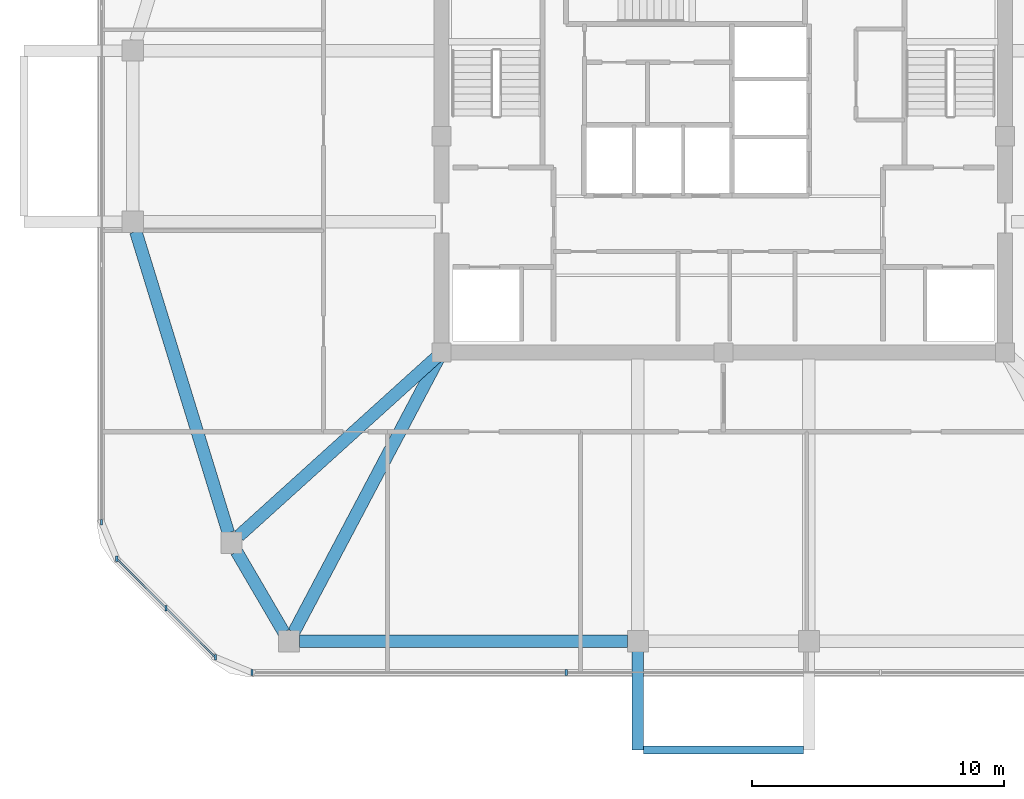
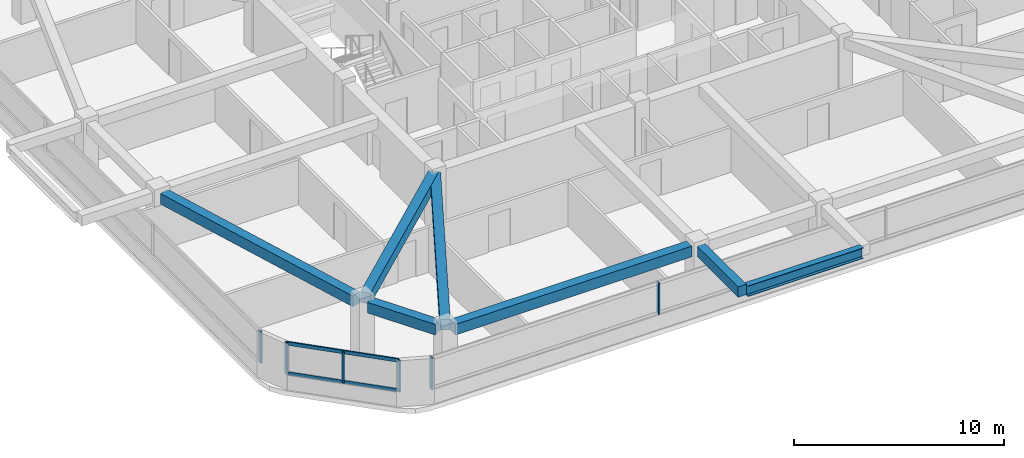
# One storey, part 2 of 14: 8 members, 7 beams, 3 elements without a shape of their own.
"""IFC4 building model written with IfcOpenShell, lengths in metres."""

from ifc_helpers import new_model, si_unit, derived_unit, direction, frame, origin, origin_2d, place, context, subcontext, project, spatial, rectangle, i_section, extrude, material, material_profile, profile_set, type_object, element, aggregate, save


model = new_model("IFC4")

# Units and contexts
model_context = context("Model", 3, precision=1e-05, world=origin(), true_north=direction((0.0, 1.0)))
body_context = subcontext(model_context, "Body", "Model", "MODEL_VIEW")
ifc_project = project(units=[si_unit("LENGTHUNIT", "METRE"), si_unit("AREAUNIT", "SQUARE_METRE"), si_unit("VOLUMEUNIT", "CUBIC_METRE"), si_unit("PLANEANGLEUNIT", "RADIAN"), si_unit("MASSUNIT", "GRAM", prefix="KILO"), derived_unit("THERMALTRANSMITTANCEUNIT", [(si_unit("POWERUNIT", "WATT"), 1), (si_unit("LENGTHUNIT", "METRE"), -2), (si_unit("THERMODYNAMICTEMPERATUREUNIT", "KELVIN"), -1)])], contexts=[model_context])

# Site, building, storey
site_placement = place(None, origin())
site = spatial("IfcSite", under=ifc_project, at=site_placement, CompositionType="ELEMENT")
building_placement = place(site_placement, origin())
building = spatial("IfcBuilding", under=site, at=building_placement, Name="Koralith Skygarden Medical Center", CompositionType="ELEMENT")
storey_placement = place(building_placement, frame((0.0, 0.0, 260.820068359375)))
storey = spatial("IfcBuildingStorey", under=building, at=storey_placement, Name="L67", CompositionType="ELEMENT", Elevation=260.820068359375)

# Curtain wall, members
ifc_material_1 = material(Name="Clear Laminated Glass", Category="glass")
curtain_wall_type = type_object("IfcCurtainWallType", Name="CW-6 Zone 5 Upper Clinical Curtain Wall", PredefinedType="NOTDEFINED", material=ifc_material_1)
curtain_wall_1_placement = place(storey_placement, origin())
curtain_wall_1 = element("IfcCurtainWall", 1, at=curtain_wall_1_placement, inside=storey, type_object=curtain_wall_type, Name="Curtain Wall CW-L67-S", PredefinedType="NOTDEFINED")
ifc_material_2 = material(Name="Aluminium 6063-T6", Category="aluminium")
ifc_material_profile_1 = material_profile(ifc_material_2, rectangle(XDim=0.0830078125, YDim=0.219970703125, at=origin_2d()), Name="MUL83X220")
ifc_profile_set_1 = profile_set([ifc_material_profile_1], Name="Aluminium 6063-T6")
member_type_1 = type_object("IfcMemberType", Name="CW-6 Extruded Mullion 83x220", PredefinedType="MULLION", material=ifc_profile_set_1)
member_1_placement = place(storey_placement, frame((18.2548828125, 4.580078125, 0.849853515625), z_axis=(0.0, 0.0, 1.0), x_axis=(1.0, 0.0, 0.0)))
member_1 = element("IfcMember", 2, at=member_1_placement, type_object=member_type_1, Name="CW-L67-S Mullion 1", PredefinedType="MULLION", context=body_context, shape_type="SweptSolid", body=[
    extrude(rectangle(XDim=0.0830078125, YDim=0.219970703125, at=origin_2d()), origin(), (0.0, 0.0, 1.0), 1.840087890625),
])
member_2_placement = place(storey_placement, frame((30.751953125, 4.580078125, 0.849853515625), z_axis=(0.0, 0.0, 1.0), x_axis=(1.0, 0.0, 0.0)))
member_2 = element("IfcMember", 3, at=member_2_placement, type_object=member_type_1, Name="CW-L67-S Mullion 2", PredefinedType="MULLION", context=body_context, shape_type="SweptSolid", body=[
    extrude(rectangle(XDim=0.0830078125, YDim=0.219970703125, at=origin_2d()), origin(), (0.0, 0.0, 1.0), 1.840087890625),
])
aggregate(curtain_wall_1, [member_1, member_2])

# Curtain wall, member
curtain_wall_2_placement = place(storey_placement, origin())
curtain_wall_2 = element("IfcCurtainWall", 4, at=curtain_wall_2_placement, inside=storey, type_object=curtain_wall_type, Name="Curtain Wall CW-L67-W", PredefinedType="NOTDEFINED")
member_3_placement = place(storey_placement, frame((12.280029296875, 10.554931640625, 0.849853515625), z_axis=(0.0, 0.0, 1.0), x_axis=(1.0, 0.0, 0.0)))
member_3 = element("IfcMember", 5, at=member_3_placement, type_object=member_type_1, Name="CW-L67-W Mullion 4", PredefinedType="MULLION", context=body_context, shape_type="SweptSolid", body=[
    extrude(rectangle(XDim=0.0830078125, YDim=0.219970703125, at=origin_2d()), origin(), (0.0, 0.0, 1.0), 1.840087890625),
])
aggregate(curtain_wall_2, [member_3])

# Curtain wall, members
curtain_wall_3_placement = place(storey_placement, origin())
curtain_wall_3 = element("IfcCurtainWall", 6, at=curtain_wall_3_placement, inside=storey, type_object=curtain_wall_type, Name="Curtain Wall CW-L67-SW", PredefinedType="NOTDEFINED")
member_4_placement = place(storey_placement, frame((12.881103515625, 9.10400390625, 0.849853515625), z_axis=(0.0, 0.0, 1.0), x_axis=(1.0, 0.0, 0.0)))
member_4 = element("IfcMember", 7, at=member_4_placement, type_object=member_type_1, Name="CW-L67-SW Mullion 1", PredefinedType="MULLION", context=body_context, shape_type="SweptSolid", body=[
    extrude(rectangle(XDim=0.0830078125, YDim=0.219970703125, at=origin_2d()), origin(), (0.0, 0.0, 1.0), 1.840087890625),
])
member_5_placement = place(storey_placement, frame((14.842041015625, 7.14306640625, 0.849853515625), z_axis=(0.0, 0.0, 1.0), x_axis=(1.0, 0.0, 0.0)))
member_5 = element("IfcMember", 8, at=member_5_placement, type_object=member_type_1, Name="CW-L67-SW Mullion 2", PredefinedType="MULLION", context=body_context, shape_type="SweptSolid", body=[
    extrude(rectangle(XDim=0.0830078125, YDim=0.219970703125, at=origin_2d()), origin(), (0.0, 0.0, 1.0), 1.840087890625),
])
member_6_placement = place(storey_placement, frame((16.803955078125, 5.180908203125, 0.849853515625), z_axis=(0.0, 0.0, 1.0), x_axis=(1.0, 0.0, 0.0)))
member_6 = element("IfcMember", 9, at=member_6_placement, type_object=member_type_1, Name="CW-L67-SW Mullion 3", PredefinedType="MULLION", context=body_context, shape_type="SweptSolid", body=[
    extrude(rectangle(XDim=0.0830078125, YDim=0.219970703125, at=origin_2d()), origin(), (0.0, 0.0, 1.0), 1.840087890625),
])
ifc_material_profile_2 = material_profile(ifc_material_2, rectangle(XDim=0.077880859375, YDim=0.197998046875, at=origin_2d()), Name="TRN78X198")
ifc_profile_set_2 = profile_set([ifc_material_profile_2], Name="Aluminium 6063-T6")
member_type_2 = type_object("IfcMemberType", Name="CW-6 Thermal Transom 78x198", PredefinedType="USERDEFINED", material=ifc_profile_set_2)
member_7_placement = place(storey_placement, frame((12.881103515625, 9.10400390625, 0.89990234375), z_axis=(0.707084777957, -0.707128783731, 0.0), x_axis=(0.707128783731, 0.707084777957, 0.0)))
member_7 = element("IfcMember", 10, at=member_7_placement, type_object=member_type_2, Name="CW-L67-SW Transom 1", ObjectType="TRANSOM", PredefinedType="USERDEFINED", context=body_context, shape_type="SweptSolid", body=[
    extrude(rectangle(XDim=0.077880859375, YDim=0.197998046875, at=origin_2d()), origin(), (0.0, 0.0, 1.0), 5.5478515625),
])
member_8_placement = place(storey_placement, frame((12.881103515625, 9.10400390625, 2.639892578125), z_axis=(0.707084777957, -0.707128783731, 0.0), x_axis=(0.707128783731, 0.707084777957, 0.0)))
member_8 = element("IfcMember", 11, at=member_8_placement, type_object=member_type_2, Name="CW-L67-SW Transom 2", ObjectType="TRANSOM", PredefinedType="USERDEFINED", context=body_context, shape_type="SweptSolid", body=[
    extrude(rectangle(XDim=0.077880859375, YDim=0.197998046875, at=origin_2d()), origin(), (0.0, 0.0, 1.0), 5.5478515625),
])
aggregate(curtain_wall_3, [member_4, member_5, member_6, member_7, member_8])

# Beams
ifc_material_3 = material(Name="Steel ASTM A992 Grade 50", Category="steel")
ifc_material_profile_3 = material_profile(ifc_material_3, i_section(OverallWidth=0.326904296875, OverallDepth=0.6220703125, WebThickness=0.015380859375, FlangeThickness=0.0244140625, at=origin_2d()), Name="W24X131")
ifc_profile_set_3 = profile_set([ifc_material_profile_3], Name="Steel ASTM A992 Grade 50")
beam_type_1 = type_object("IfcBeamType", Name="Cantilever Tie Beam W24X131", PredefinedType="BEAM", material=ifc_profile_set_3)
beam_1_placement = place(storey_placement, frame((33.820068359375, 1.5, 3.029052734375), z_axis=(1.0, 0.0, 0.0), x_axis=(0.0, 1.0, 0.0)))
element("IfcBeam", 12, at=beam_1_placement, inside=storey, type_object=beam_type_1, Name="L68 S Balcony Tip Tie Beam", PredefinedType="BEAM", context=body_context, shape_type="SweptSolid", body=[
    extrude(i_section(OverallWidth=0.326904296875, OverallDepth=0.6220703125, WebThickness=0.015380859375, FlangeThickness=0.0244140625, at=origin_2d()), origin(), (0.0, 0.0, 1.0), 6.35986328125),
])
ifc_material_4 = material(Name="Concrete C45/55", Category="concrete")
ifc_material_profile_4 = material_profile(ifc_material_4, rectangle(XDim=0.449951171875, YDim=0.60009765625, at=origin_2d()), Name="RCB450X600")
ifc_profile_set_4 = profile_set([ifc_material_profile_4], Name="Concrete C45/55")
beam_type_2 = type_object("IfcBeamType", Name="Planted Balcony Cantilever Beam RCB450X600", PredefinedType="BEAM", material=ifc_profile_set_4)
beam_2_placement = place(storey_placement, frame((33.60009765625, 5.419921875, 3.0400390625), z_axis=(0.0, -1.0, 0.0), x_axis=(1.0, 0.0, 0.0)))
element("IfcBeam", 13, at=beam_2_placement, inside=storey, type_object=beam_type_2, Name="L68 S Balcony Cantilever Beam A", PredefinedType="BEAM", context=body_context, shape_type="SweptSolid", body=[
    extrude(rectangle(XDim=0.449951171875, YDim=0.60009765625, at=origin_2d()), origin(), (0.0, 0.0, 1.0), 3.919921875),
])
ifc_material_profile_5 = material_profile(ifc_material_4, rectangle(XDim=0.5, YDim=0.6201171875, at=origin_2d()), Name="RCB500X620")
ifc_profile_set_5 = profile_set([ifc_material_profile_5], Name="Concrete C45/55")
beam_type_3 = type_object("IfcBeamType", Name="Upper Radial Collector Beam RCB500X620", PredefinedType="BEAM", material=ifc_profile_set_5)
beam_3_placement = place(storey_placement, frame((25.614990234375, 17.132080078125, 3.010009765625), z_axis=(-0.741736323186, -0.670691603397, 0.0), x_axis=(0.670691603397, -0.741736323186, 0.0)))
element("IfcBeam", 14, at=beam_3_placement, inside=storey, type_object=beam_type_3, Name="L67 Radial Collector Beam RB-02", PredefinedType="BEAM", context=body_context, shape_type="SweptSolid", body=[
    extrude(rectangle(XDim=0.5, YDim=0.6201171875, at=origin_2d()), origin(), (0.0, 0.0, 1.0), 10.61181640625),
])
beam_4_placement = place(storey_placement, frame((25.68310546875, 17.0791015625, 3.010009765625), z_axis=(-0.46724871287, -0.884125918816, 0.0), x_axis=(0.884125918816, -0.46724871287, 0.0)))
element("IfcBeam", 15, at=beam_4_placement, inside=storey, type_object=beam_type_3, Name="L67 Radial Collector Beam RB-03", PredefinedType="BEAM", context=body_context, shape_type="SweptSolid", body=[
    extrude(rectangle(XDim=0.5, YDim=0.6201171875, at=origin_2d()), origin(), (0.0, 0.0, 1.0), 12.325439453125),
])
ifc_material_profile_6 = material_profile(ifc_material_4, rectangle(XDim=0.5, YDim=0.6201171875, at=origin_2d()), Name="RCB500X620")
ifc_profile_set_6 = profile_set([ifc_material_profile_6], Name="Concrete C45/55")
beam_type_4 = type_object("IfcBeamType", Name="Zone 4-5 Spandrel Beam RCB500X620", PredefinedType="SPANDREL", material=ifc_profile_set_6)
beam_5_placement = place(storey_placement, frame((13.639892578125, 22.10791015625, 3.010009765625), z_axis=(0.293743494914, -0.955884281279, 0.0), x_axis=(0.955884281279, 0.293743494914, 0.0)))
element("IfcBeam", 16, at=beam_5_placement, inside=storey, type_object=beam_type_4, Name="L67 Perimeter Spandrel Beam SP-01", PredefinedType="SPANDREL", context=body_context, shape_type="SweptSolid", body=[
    extrude(rectangle(XDim=0.5, YDim=0.6201171875, at=origin_2d()), origin(), (0.0, 0.0, 1.0), 12.528564453125),
])
beam_6_placement = place(storey_placement, frame((17.64697265625, 9.385986328125, 3.010009765625), z_axis=(0.50473571007, -0.863273921175, 0.0), x_axis=(0.863273921175, 0.50473571007, 0.0)))
element("IfcBeam", 17, at=beam_6_placement, inside=storey, type_object=beam_type_4, Name="L67 Perimeter Spandrel Beam SP-02", PredefinedType="SPANDREL", context=body_context, shape_type="SweptSolid", body=[
    extrude(rectangle(XDim=0.5, YDim=0.6201171875, at=origin_2d()), origin(), (0.0, 0.0, 1.0), 3.720703125),
])
beam_7_placement = place(storey_placement, frame((20.14208984375, 5.820068359375, 3.010009765625), z_axis=(1.0, 0.0, 0.0), x_axis=(0.0, 1.0, 0.0)))
element("IfcBeam", 18, at=beam_7_placement, inside=storey, type_object=beam_type_4, Name="L67 Perimeter Spandrel Beam SP-03", PredefinedType="SPANDREL", context=body_context, shape_type="SweptSolid", body=[
    extrude(rectangle(XDim=0.5, YDim=0.6201171875, at=origin_2d()), origin(), (0.0, 0.0, 1.0), 13.0478515625),
])

save(model, "model.ifc")
